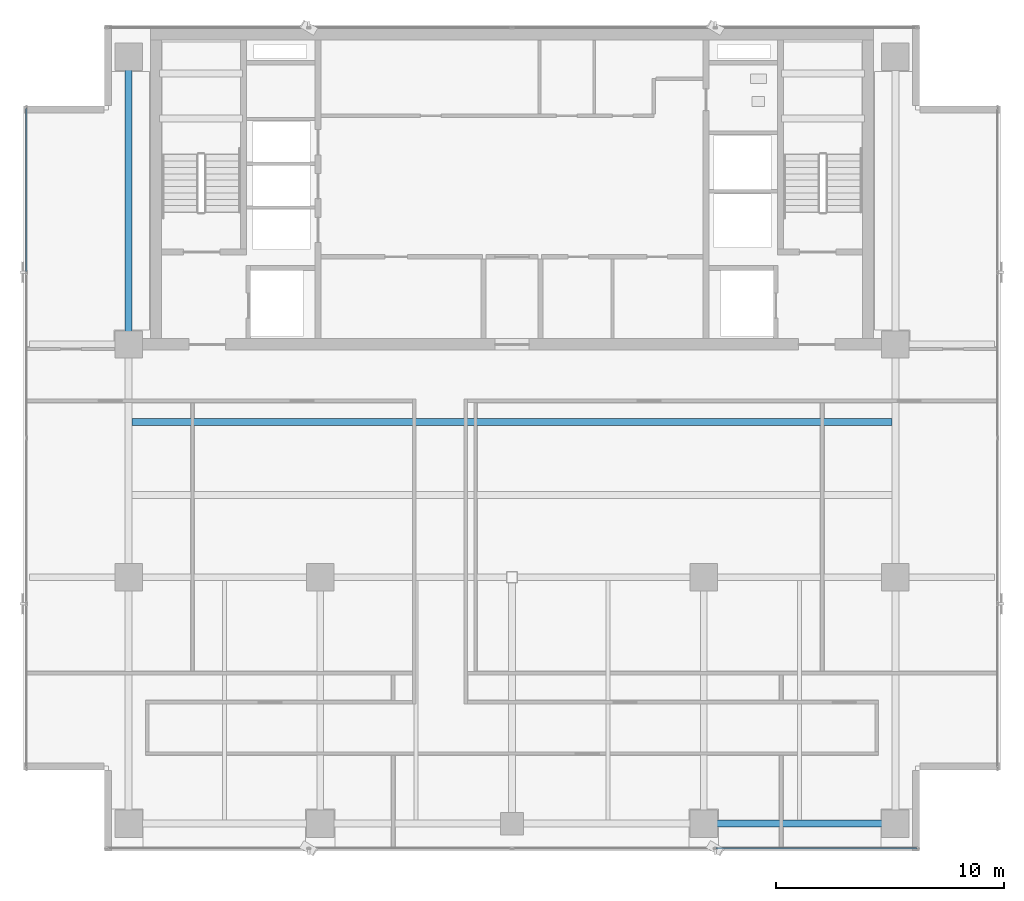
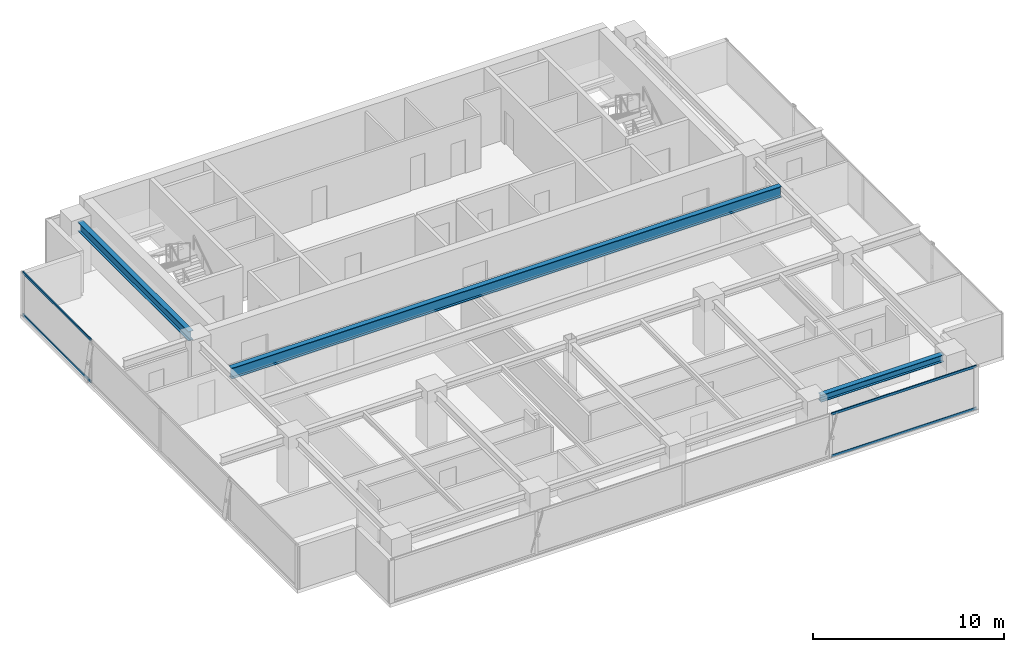
# One storey, part 7 of 22: 4 members, 3 beams, 2 elements without a shape of their own.
"""IFC4 building model written with IfcOpenShell, lengths in metres."""

from ifc_helpers import new_model, si_unit, direction, frame, origin, origin_2d, place, context, subcontext, project, spatial, hollow_rectangle, i_section, extrude, source, transform, mapped, material, layer, layer_set, material_profile, profile_set, type_object, element, aggregate, save


model = new_model("IFC4")

# Units and contexts
model_context = context("Model", 3, precision=1e-05, world=origin(), true_north=direction((0.0, 1.0)))
body_context = subcontext(model_context, "Body", "Model", "MODEL_VIEW")
ifc_project = project(units=[si_unit("LENGTHUNIT", "METRE"), si_unit("AREAUNIT", "SQUARE_METRE"), si_unit("VOLUMEUNIT", "CUBIC_METRE"), si_unit("PLANEANGLEUNIT", "RADIAN"), si_unit("MASSUNIT", "GRAM", prefix="KILO")], contexts=[model_context])

# Site, building, storey
site_placement = place(None, origin())
site = spatial("IfcSite", under=ifc_project, at=site_placement, CompositionType="ELEMENT")
building_placement = place(site_placement, origin())
building = spatial("IfcBuilding", under=site, at=building_placement, Name="Sumidabori Civic Tower", CompositionType="ELEMENT")
storey_placement = place(building_placement, frame((0.0, 0.0, 279.199951171875)))
storey = spatial("IfcBuildingStorey", under=building, at=storey_placement, Name="L73", CompositionType="ELEMENT", Elevation=279.199951171875)

# Beams
ifc_material_1 = material(Name="Steel SN490", Category="steel")
ifc_material_profile_1 = material_profile(ifc_material_1, i_section(OverallWidth=0.300048828125, OverallDepth=0.60009765625, WebThickness=0.015380859375, FlangeThickness=0.030029296875, at=origin_2d()), Name="HE 600 B")
ifc_profile_set_1 = profile_set([ifc_material_profile_1], Name="Steel SN490")
beam_type_1 = type_object("IfcBeamType", Name="BM-GIRD-600", PredefinedType="BEAM", material=ifc_profile_set_1)
shared_shape_1 = source(origin(), body_context, "Body", "SweptSolid", [
    extrude(i_section(OverallWidth=0.300048828125, OverallDepth=0.60009765625, WebThickness=0.015380859375, FlangeThickness=0.030029296875, at=origin_2d()), origin(), (0.0, 0.0, 1.0), 11.64013671875),
])
beam_1_placement = place(storey_placement, frame((-16.800048828125, 10.679931640625, 3.070068359375), z_axis=(0.0, 1.0, 0.0), x_axis=(-1.0, 0.0, 0.0)))
element("IfcBeam", 1, at=beam_1_placement, inside=storey, type_object=beam_type_1, Name="Primary Girder L73 GY-11", PredefinedType="BEAM", context=body_context, shape_type="MappedRepresentation", body=[
    mapped(shared_shape_1, transform((0.0, 0.0, 0.0), x_axis=(1.0, 0.0, 0.0), y_axis=(0.0, 1.0, 0.0), z_axis=(0.0, 0.0, 1.0), scale=1.0)),
])
ifc_material_profile_2 = material_profile(ifc_material_1, i_section(OverallWidth=0.300048828125, OverallDepth=0.699951171875, WebThickness=0.01708984375, FlangeThickness=0.031982421875, at=origin_2d()), Name="HE 700 B")
ifc_profile_set_2 = profile_set([ifc_material_profile_2], Name="Steel SN490")
beam_type_2 = type_object("IfcBeamType", Name="BM-GIRD-700", PredefinedType="BEAM", material=ifc_profile_set_2)
shared_shape_2 = source(origin(), body_context, "Body", "SweptSolid", [
    extrude(i_section(OverallWidth=0.300048828125, OverallDepth=0.699951171875, WebThickness=0.01708984375, FlangeThickness=0.031982421875, at=origin_2d()), origin(), (0.0, 0.0, 1.0), 33.2998046875),
])
beam_2_placement = place(storey_placement, frame((-16.64990234375, 6.800048828125, 3.02001953125), z_axis=(1.0, 0.0, 0.0), x_axis=(0.0, 1.0, 0.0)))
element("IfcBeam", 2, at=beam_2_placement, inside=storey, type_object=beam_type_2, Name="North Bay Floor Beam L73 JSTN-23", PredefinedType="BEAM", context=body_context, shape_type="MappedRepresentation", body=[
    mapped(shared_shape_2, transform((0.0, 0.0, 0.0), x_axis=(1.0, 0.0, 0.0), y_axis=(0.0, 1.0, 0.0), z_axis=(0.0, 0.0, 1.0), scale=1.0)),
])
ifc_material_profile_3 = material_profile(ifc_material_1, i_section(OverallWidth=0.300048828125, OverallDepth=0.449951171875, WebThickness=0.013916015625, FlangeThickness=0.02587890625, at=origin_2d()), Name="HE 450 B")
ifc_profile_set_3 = profile_set([ifc_material_profile_3], Name="Steel SN490")
beam_type_3 = type_object("IfcBeamType", Name="BM-GIRD-450", PredefinedType="BEAM", material=ifc_profile_set_3)
shared_shape_3 = source(origin(), body_context, "Body", "SweptSolid", [
    extrude(i_section(OverallWidth=0.300048828125, OverallDepth=0.449951171875, WebThickness=0.013916015625, FlangeThickness=0.02587890625, at=origin_2d()), origin(), (0.0, 0.0, 1.0), 7.440185546875),
])
beam_3_placement = place(storey_placement, frame((8.8798828125, -10.800048828125, 3.14501953125), z_axis=(1.0, 0.0, 0.0), x_axis=(0.0, 1.0, 0.0)))
element("IfcBeam", 3, at=beam_3_placement, inside=storey, type_object=beam_type_3, Name="Primary Girder L73 GX-04", PredefinedType="BEAM", context=body_context, shape_type="MappedRepresentation", body=[
    mapped(shared_shape_3, transform((0.0, 0.0, 0.0), x_axis=(1.0, 0.0, 0.0), y_axis=(0.0, 1.0, 0.0), z_axis=(0.0, 0.0, 1.0), scale=1.0)),
])

# Curtain wall, members
ifc_material_2 = material(Name="Anodised Bronze Aluminium AW-6063-T6", Category="aluminium")
ifc_layer = layer(ifc_material_2, 0.179931640625, Name="Anodised Bronze Aluminium AW-6063-T6")
ifc_layer_set = layer_set([ifc_layer], Name="Anodised Bronze Aluminium AW-6063-T6")
curtain_wall_type = type_object("IfcCurtainWallType", Name="CW-SYS-6", PredefinedType="NOTDEFINED", material=ifc_layer_set)
curtain_wall_1_placement = place(storey_placement, origin())
curtain_wall_1 = element("IfcCurtainWall", 4, at=curtain_wall_1_placement, inside=storey, type_object=curtain_wall_type, Name="Curtain Wall CW:L73:R01", PredefinedType="NOTDEFINED")
ifc_material_profile_4 = material_profile(ifc_material_2, hollow_rectangle(XDim=0.06494140625, YDim=0.14990234375, WallThickness=0.0048828125, at=origin_2d()), Name="ALU TRANSOM 150x65")
ifc_profile_set_4 = profile_set([ifc_material_profile_4], Name="Anodised Bronze Aluminium AW-6063-T6")
member_type = type_object("IfcMemberType", Name="CW-TRN-150", PredefinedType="USERDEFINED", material=ifc_profile_set_4)
shared_shape_4 = source(origin(), body_context, "Body", "SweptSolid", [
    extrude(hollow_rectangle(XDim=0.06494140625, YDim=0.14990234375, WallThickness=0.0048828125, at=origin_2d()), origin(), (0.0, 0.0, 1.0), 8.804931640625),
])
member_1_placement = place(storey_placement, frame((8.945068359375, -11.8798828125, 0.032470703125), z_axis=(1.0, 0.0, 0.0), x_axis=(0.0, 1.0, 0.0)))
member_1 = element("IfcMember", 5, at=member_1_placement, type_object=member_type, Name="CW-6 transom 4.1", ObjectType="TRANSOM", PredefinedType="USERDEFINED", context=body_context, shape_type="MappedRepresentation", body=[
    mapped(shared_shape_4, transform((0.0, 0.0, 0.0), x_axis=(1.0, 0.0, 0.0), y_axis=(0.0, 1.0, 0.0), z_axis=(0.0, 0.0, 1.0), scale=1.0)),
])
member_2_placement = place(storey_placement, frame((8.945068359375, -11.8798828125, 2.717529296875), z_axis=(1.0, 0.0, 0.0), x_axis=(0.0, 1.0, 0.0)))
member_2 = element("IfcMember", 6, at=member_2_placement, type_object=member_type, Name="CW-6 transom 4.2", ObjectType="TRANSOM", PredefinedType="USERDEFINED", context=body_context, shape_type="MappedRepresentation", body=[
    mapped(shared_shape_4, transform((0.0, 0.0, 0.0), x_axis=(1.0, 0.0, 0.0), y_axis=(0.0, 1.0, 0.0), z_axis=(0.0, 0.0, 1.0), scale=1.0)),
])
aggregate(curtain_wall_1, [member_1, member_2])

curtain_wall_2_placement = place(storey_placement, origin())
curtain_wall_2 = element("IfcCurtainWall", 7, at=curtain_wall_2_placement, inside=storey, type_object=curtain_wall_type, Name="Curtain Wall CW:L73:R10", PredefinedType="NOTDEFINED")
shared_shape_5 = source(origin(), body_context, "Body", "SweptSolid", [
    extrude(hollow_rectangle(XDim=0.06494140625, YDim=0.14990234375, WallThickness=0.0048828125, at=origin_2d()), origin(), (0.0, 0.0, 1.0), 7.155029296875),
])
member_3_placement = place(storey_placement, frame((-21.280029296875, 20.550048828125, 0.032470703125), z_axis=(0.0, -1.0, 0.0), x_axis=(1.0, 0.0, 0.0)))
member_3 = element("IfcMember", 8, at=member_3_placement, type_object=member_type, Name="CW-6 transom 1.1", ObjectType="TRANSOM", PredefinedType="USERDEFINED", context=body_context, shape_type="MappedRepresentation", body=[
    mapped(shared_shape_5, transform((0.0, 0.0, 0.0), x_axis=(1.0, 0.0, 0.0), y_axis=(0.0, 1.0, 0.0), z_axis=(0.0, 0.0, 1.0), scale=1.0)),
])
member_4_placement = place(storey_placement, frame((-21.280029296875, 20.550048828125, 2.717529296875), z_axis=(0.0, -1.0, 0.0), x_axis=(1.0, 0.0, 0.0)))
member_4 = element("IfcMember", 9, at=member_4_placement, type_object=member_type, Name="CW-6 transom 1.2", ObjectType="TRANSOM", PredefinedType="USERDEFINED", context=body_context, shape_type="MappedRepresentation", body=[
    mapped(shared_shape_5, transform((0.0, 0.0, 0.0), x_axis=(1.0, 0.0, 0.0), y_axis=(0.0, 1.0, 0.0), z_axis=(0.0, 0.0, 1.0), scale=1.0)),
])
aggregate(curtain_wall_2, [member_3, member_4])

save(model, "model.ifc")
